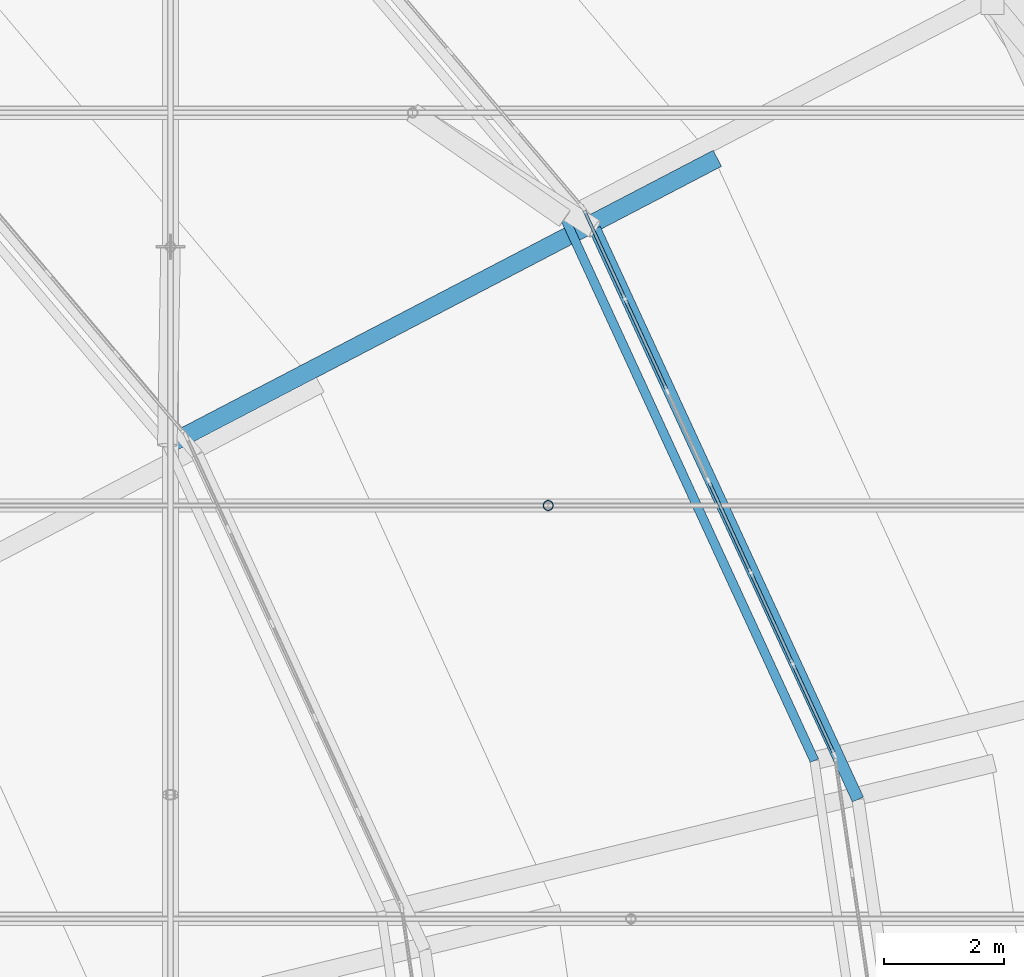
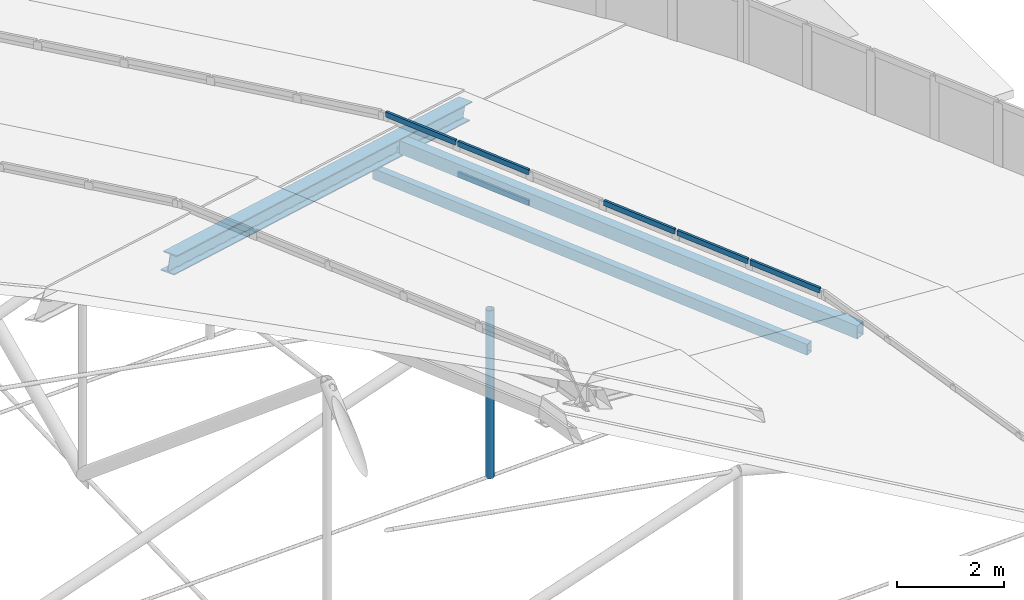
# One storey, part 98 of 173: 14 members, 1 element without a shape of its own.
"""IFC4 building model written with IfcOpenShell, lengths in metres."""

from ifc_helpers import new_model, si_unit, direction, frame, origin, origin_2d, place, context, subcontext, project, spatial, rectangle, hollow_rectangle, hollow_circle, i_section, extrude, material, material_profile, profile_set, type_object, element, aggregate, save


model = new_model("IFC4")

# Units and contexts
model_context = context("Model", 3, precision=1e-05, world=origin(), true_north=direction((0.0, 1.0)))
body_context = subcontext(model_context, "Body", "Model", "MODEL_VIEW")
ifc_project = project(units=[si_unit("LENGTHUNIT", "METRE"), si_unit("AREAUNIT", "SQUARE_METRE"), si_unit("VOLUMEUNIT", "CUBIC_METRE"), si_unit("PLANEANGLEUNIT", "RADIAN"), si_unit("MASSUNIT", "GRAM", prefix="KILO")], contexts=[model_context])

# Site, building, storey
site_placement = place(None, origin())
site = spatial("IfcSite", under=ifc_project, at=site_placement, CompositionType="ELEMENT")
building_placement = place(site_placement, origin())
building = spatial("IfcBuilding", under=site, at=building_placement, Name="Glasvene Arena", CompositionType="ELEMENT")
storey_placement = place(building_placement, frame((0.0, 0.0, 28.800048828125)))
storey = spatial("IfcBuildingStorey", under=building, at=storey_placement, Name="RF", CompositionType="ELEMENT", Elevation=28.800048828125)

# Curtain wall, members
ifc_material_1 = material(Name="Low-emissivity laminated double glazing", Category="glass")
curtain_wall_type = type_object("IfcCurtainWallType", Name="CW-PET1-1001x75", PredefinedType="USERDEFINED", material=ifc_material_1)
curtain_wall_placement = place(storey_placement, frame((132.424072265625, 82.757568359375, 0.0)))
curtain_wall = element("IfcCurtainWall", 1, at=curtain_wall_placement, inside=storey, type_object=curtain_wall_type, Name="Petal ring 1-2 clerestory curtain wall 02", ObjectType="CURTAIN WALL", PredefinedType="USERDEFINED")
ifc_material_2 = material(Name="Anodised architectural aluminium", Category="aluminium")
ifc_material_profile_1 = material_profile(ifc_material_2, rectangle(XDim=0.050048828125, YDim=0.1201171875, at=origin_2d()), Name="ALU TRANSOM 50x120")
ifc_profile_set_1 = profile_set([ifc_material_profile_1], Name="Anodised architectural aluminium")
member_type_1 = type_object("IfcMemberType", Name="CW-TRN-120", PredefinedType="USERDEFINED", material=ifc_profile_set_1)
member_1_placement = place(storey_placement, frame((132.403076171875, 82.802978515625, 2.60498046875), z_axis=(-0.417794288464, 0.908541651509, 0.0), x_axis=(-0.908541651509, -0.417794288464, 0.0)))
member_1 = element("IfcMember", 2, at=member_1_placement, type_object=member_type_1, Name="CW-082 transom 1.1", ObjectType="TRANSOM", PredefinedType="USERDEFINED", context=body_context, shape_type="SweptSolid", body=[
    extrude(rectangle(XDim=0.050048828125, YDim=0.1201171875, at=origin_2d()), origin(), (0.0, 0.0, 1.0), 1.593017578125),
])
member_2_placement = place(storey_placement, frame((132.403076171875, 82.802978515625, 3.304931640625), z_axis=(-0.417794288464, 0.908541651509, 0.0), x_axis=(-0.908541651509, -0.417794288464, 0.0)))
member_2 = element("IfcMember", 3, at=member_2_placement, type_object=member_type_1, Name="CW-082 transom 1.2", ObjectType="TRANSOM", PredefinedType="USERDEFINED", context=body_context, shape_type="SweptSolid", body=[
    extrude(rectangle(XDim=0.050048828125, YDim=0.1201171875, at=origin_2d()), origin(), (0.0, 0.0, 1.0), 1.593017578125),
])
member_3_placement = place(storey_placement, frame((131.716796875, 84.295654296875, 2.60498046875), z_axis=(-0.417823409802, 0.908528259451, 0.0), x_axis=(-0.908528259451, -0.417823409802, 0.0)))
member_3 = element("IfcMember", 4, at=member_3_placement, type_object=member_type_1, Name="CW-082 transom 2.1", ObjectType="TRANSOM", PredefinedType="USERDEFINED", context=body_context, shape_type="SweptSolid", body=[
    extrude(rectangle(XDim=0.050048828125, YDim=0.1201171875, at=origin_2d()), origin(), (0.0, 0.0, 1.0), 1.617919921875),
])
member_4_placement = place(storey_placement, frame((131.716796875, 84.295654296875, 3.304931640625), z_axis=(-0.417823409802, 0.908528259451, 0.0), x_axis=(-0.908528259451, -0.417823409802, 0.0)))
member_4 = element("IfcMember", 5, at=member_4_placement, type_object=member_type_1, Name="CW-082 transom 2.2", ObjectType="TRANSOM", PredefinedType="USERDEFINED", context=body_context, shape_type="SweptSolid", body=[
    extrude(rectangle(XDim=0.050048828125, YDim=0.1201171875, at=origin_2d()), origin(), (0.0, 0.0, 1.0), 1.617919921875),
])
member_5_placement = place(storey_placement, frame((131.02001953125, 85.81103515625, 2.60498046875), z_axis=(-0.417823409802, 0.908528259451, 0.0), x_axis=(-0.908528259451, -0.417823409802, 0.0)))
member_5 = element("IfcMember", 6, at=member_5_placement, type_object=member_type_1, Name="CW-082 transom 3.1", ObjectType="TRANSOM", PredefinedType="USERDEFINED", context=body_context, shape_type="SweptSolid", body=[
    extrude(rectangle(XDim=0.050048828125, YDim=0.1201171875, at=origin_2d()), origin(), (0.0, 0.0, 1.0), 1.617919921875),
])
member_6_placement = place(storey_placement, frame((131.02001953125, 85.81103515625, 3.304931640625), z_axis=(-0.417823409802, 0.908528259451, 0.0), x_axis=(-0.908528259451, -0.417823409802, 0.0)))
member_6 = element("IfcMember", 7, at=member_6_placement, type_object=member_type_1, Name="CW-082 transom 3.2", ObjectType="TRANSOM", PredefinedType="USERDEFINED", context=body_context, shape_type="SweptSolid", body=[
    extrude(rectangle(XDim=0.050048828125, YDim=0.1201171875, at=origin_2d()), origin(), (0.0, 0.0, 1.0), 1.617919921875),
])
member_7_placement = place(storey_placement, frame((129.62646484375, 88.841796875, 2.60498046875), z_axis=(-0.417823409802, 0.908528259451, 0.0), x_axis=(-0.908528259451, -0.417823409802, 0.0)))
member_7 = element("IfcMember", 8, at=member_7_placement, type_object=member_type_1, Name="CW-082 transom 5.1", ObjectType="TRANSOM", PredefinedType="USERDEFINED", context=body_context, shape_type="SweptSolid", body=[
    extrude(rectangle(XDim=0.050048828125, YDim=0.1201171875, at=origin_2d()), origin(), (0.0, 0.0, 1.0), 1.617919921875),
])
member_8_placement = place(storey_placement, frame((129.62646484375, 88.841796875, 3.304931640625), z_axis=(-0.417823409802, 0.908528259451, 0.0), x_axis=(-0.908528259451, -0.417823409802, 0.0)))
member_8 = element("IfcMember", 9, at=member_8_placement, type_object=member_type_1, Name="CW-082 transom 5.2", ObjectType="TRANSOM", PredefinedType="USERDEFINED", context=body_context, shape_type="SweptSolid", body=[
    extrude(rectangle(XDim=0.050048828125, YDim=0.1201171875, at=origin_2d()), origin(), (0.0, 0.0, 1.0), 1.617919921875),
])
member_9_placement = place(storey_placement, frame((128.929443359375, 90.357177734375, 2.60498046875), z_axis=(-0.41760960728, 0.908626554701, 0.0), x_axis=(-0.908626554701, -0.41760960728, 0.0)))
member_9 = element("IfcMember", 10, at=member_9_placement, type_object=member_type_1, Name="CW-082 transom 6.1", ObjectType="TRANSOM", PredefinedType="USERDEFINED", context=body_context, shape_type="SweptSolid", body=[
    extrude(rectangle(XDim=0.050048828125, YDim=0.1201171875, at=origin_2d()), origin(), (0.0, 0.0, 1.0), 1.593017578125),
])
member_10_placement = place(storey_placement, frame((128.929443359375, 90.357177734375, 3.304931640625), z_axis=(-0.41760960728, 0.908626554701, 0.0), x_axis=(-0.908626554701, -0.41760960728, 0.0)))
member_10 = element("IfcMember", 11, at=member_10_placement, type_object=member_type_1, Name="CW-082 transom 6.2", ObjectType="TRANSOM", PredefinedType="USERDEFINED", context=body_context, shape_type="SweptSolid", body=[
    extrude(rectangle(XDim=0.050048828125, YDim=0.1201171875, at=origin_2d()), origin(), (0.0, 0.0, 1.0), 1.593017578125),
])
aggregate(curtain_wall, [member_1, member_2, member_3, member_4, member_5, member_6, member_7, member_8, member_9, member_10])

# Members
ifc_material_3 = material(Name="Steel S355J2", Category="steel")
ifc_material_profile_2 = material_profile(ifc_material_3, i_section(OverallWidth=0.300048828125, OverallDepth=0.39990234375, WebThickness=0.013427734375, FlangeThickness=0.02392578125, FilletRadius=0.027099609375, at=origin_2d()), Name="HEB 400")
ifc_profile_set_2 = profile_set([ifc_material_profile_2], Name="Steel S355J2")
member_type_2 = type_object("IfcMemberType", Name="MB-CHORD-HEB400", PredefinedType="CHORD", material=ifc_profile_set_2)
member_11_placement = place(storey_placement, frame((130.430419921875, 92.64990234375, 2.14990234375), z_axis=(-0.860450517355, -0.448776022932, 0.241298546254), x_axis=(0.46244071503, -0.886650204468, 0.0)))
element("IfcMember", 12, at=member_11_placement, inside=storey, type_object=member_type_2, Name="Petal ring 2 radial rib 03", PredefinedType="CHORD", context=body_context, shape_type="SweptSolid", body=[
    extrude(i_section(OverallWidth=0.300048828125, OverallDepth=0.39990234375, WebThickness=0.013427734375, FlangeThickness=0.02392578125, FilletRadius=0.027099609375, at=origin_2d()), origin(), (0.0, 0.0, 1.0), 10.568115234375),
])
ifc_material_profile_3 = material_profile(ifc_material_3, hollow_rectangle(XDim=0.14990234375, YDim=0.25, WallThickness=0.010009765625, at=origin_2d()), Name="RHS 250x150x10.0")
ifc_profile_set_3 = profile_set([ifc_material_profile_3], Name="Steel S355J2")
member_type_3 = type_object("IfcMemberType", Name="MB-PURLIN-RHS250", PredefinedType="PURLIN", material=ifc_profile_set_3)
member_12_placement = place(storey_placement, frame((132.0859375, 82.6669921875, 2.181884765625), z_axis=(-0.418096202574, 0.908402755056, 0.0), x_axis=(-0.908402755056, -0.418096202574, 0.0)))
element("IfcMember", 13, at=member_12_placement, inside=storey, type_object=member_type_3, Name="Petal ring 1 ridge purlin 02", PredefinedType="PURLIN", context=body_context, shape_type="SweptSolid", body=[
    extrude(hollow_rectangle(XDim=0.14990234375, YDim=0.25, WallThickness=0.010009765625, at=origin_2d()), origin(), (0.0, 0.0, 1.0), 9.916259765625),
])
ifc_material_profile_4 = material_profile(ifc_material_3, hollow_rectangle(XDim=0.199951171875, YDim=0.300048828125, WallThickness=0.012451171875, at=origin_2d()), Name="RHS 300x200x12.5")
ifc_profile_set_4 = profile_set([ifc_material_profile_4], Name="Steel S355J2")
member_type_4 = type_object("IfcMemberType", Name="MB-PURLIN-RHS300", PredefinedType="PURLIN", material=ifc_profile_set_4)
member_13_placement = place(storey_placement, frame((132.809326171875, 82.021484375, 2.728515625), z_axis=(-0.418734792983, 0.90810856903, 0.0), x_axis=(-0.90810856903, -0.418734792983, 0.0)))
element("IfcMember", 14, at=member_13_placement, inside=storey, type_object=member_type_4, Name="Petal ring 2 outer purlin 02", PredefinedType="PURLIN", context=body_context, shape_type="SweptSolid", body=[
    extrude(hollow_rectangle(XDim=0.199951171875, YDim=0.300048828125, WallThickness=0.012451171875, at=origin_2d()), origin(), (0.0, 0.0, 1.0), 10.437744140625),
])
ifc_material_profile_5 = material_profile(ifc_material_3, hollow_circle(Radius=0.084228515625, WallThickness=0.008056640625, at=origin_2d()), Name="CHS 168.3x8.0")
ifc_profile_set_5 = profile_set([ifc_material_profile_5], Name="Steel S355J2")
member_type_5 = type_object("IfcMemberType", Name="MB-WEB-CHS168", PredefinedType="BRACE", material=ifc_profile_set_5)
member_14_placement = place(storey_placement, frame((127.66455078125, 86.90576171875, -1.753173828125), z_axis=(0.0, 0.0, 1.0), x_axis=(1.0, 0.0, 0.0)))
element("IfcMember", 15, at=member_14_placement, inside=storey, type_object=member_type_5, Name="Cable-truss vertical strut EW06-07", PredefinedType="BRACE", context=body_context, shape_type="SweptSolid", body=[
    extrude(hollow_circle(Radius=0.084228515625, WallThickness=0.008056640625, at=origin_2d()), origin(), (0.0, 0.0, 1.0), 3.814208984375),
])

save(model, "model.ifc")
